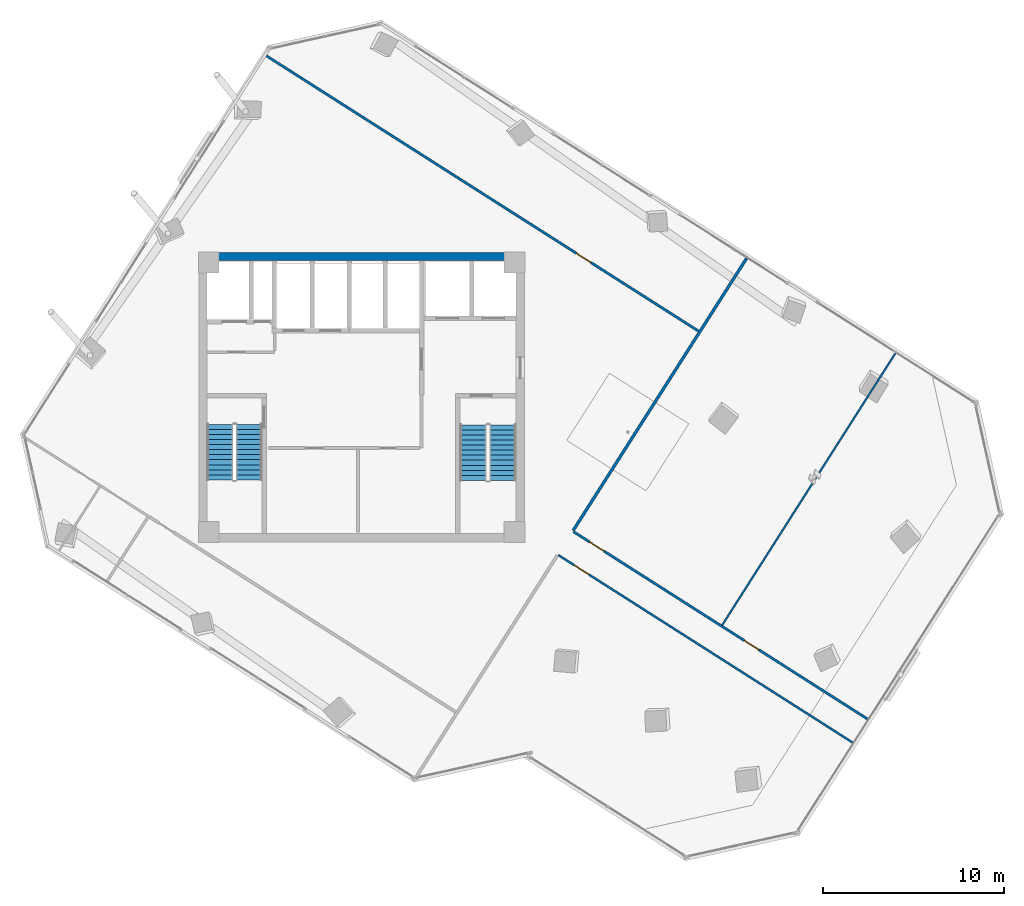
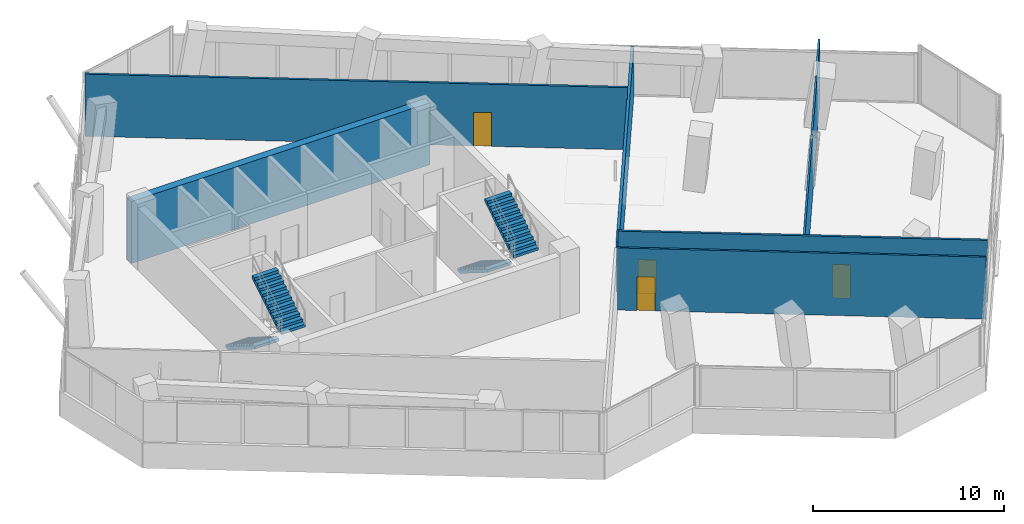
# One storey, part 19 of 24: 6 walls, 4 doors, 4 stair flights, 4 openings, 2 elements without a shape of their own.
"""IFC4 building model written with IfcOpenShell, lengths in metres."""

import ifcopenshell
import ifcopenshell.guid

model = None  # the IFC model being written
_history = None  # IfcOwnerHistory: only IFC2X3 demands one
_inside = {}  # id of a spatial element -> (the spatial element, [elements in it])
_under = {}  # id of a project, library or spatial element -> (it, [spatial elements below it])
_declared = {}  # id of a project -> (the project, [libraries it declares])
_typed = {}  # id of a type object -> (the type object, [elements of that type])
_made_of = {}  # id of a material, layer set ... -> (it, [elements and type objects made of it])


def new_model(schema):
    """Start an empty IFC model of exactly this schema.

    Asked for "IFC4X3", IfcOpenShell would pick the latest addendum, in which some entities
    have other attributes; the version numbers below select the first issue.
    IFC2X3 requires an IfcOwnerHistory on every rooted entity: one is made here for all.
    """
    global model, _history
    if schema == "IFC4X3":
        model = ifcopenshell.file(schema_version=(4, 3, 0, 0))
    else:
        model = ifcopenshell.file(schema=schema)
    _inside.clear()
    _under.clear()
    _declared.clear()
    _typed.clear()
    _made_of.clear()
    _history = None
    if model.schema == "IFC2X3":
        org = make("IfcOrganization", Name="unknown")
        user = make(
            "IfcPersonAndOrganization",
            ThePerson=make("IfcPerson", FamilyName="unknown"),
            TheOrganization=org,
        )
        app = make(
            "IfcApplication",
            ApplicationDeveloper=org,
            Version="unknown",
            ApplicationFullName="unknown",
            ApplicationIdentifier="unknown",
        )
        _history = make(
            "IfcOwnerHistory",
            OwningUser=user,
            OwningApplication=app,
            ChangeAction="ADDED",
            CreationDate=0,
        )
    return model


def make(cls, **values):
    """One entity of the class cls with the attributes given. An attribute that is None is left unset."""
    return model.create_entity(
        cls, **{name: value for name, value in values.items() if value is not None}
    )


def rooted(cls, **values):
    """An entity with a GlobalId (a new one), such as an element, a storey or a relation."""
    return make(cls, GlobalId=ifcopenshell.guid.new(), OwnerHistory=_history, **values)


def si_unit(unit_type, name, prefix=None):
    """IfcSIUnit, for example si_unit("LENGTHUNIT", "METRE", prefix="MILLI")."""
    return make("IfcSIUnit", UnitType=unit_type, Prefix=prefix, Name=name)


def assignment(units):
    """IfcUnitAssignment: the units of a project."""
    return None if units is None else make("IfcUnitAssignment", Units=units)


def point(xyz):
    """IfcCartesianPoint."""
    return None if xyz is None else make("IfcCartesianPoint", Coordinates=xyz)


def direction(xyz):
    """IfcDirection."""
    return None if xyz is None else make("IfcDirection", DirectionRatios=xyz)


def frame(location, z_axis=None, x_axis=None):
    """IfcAxis2Placement3D, a coordinate frame: its origin and axes. An axis left out is left unset."""
    return make(
        "IfcAxis2Placement3D",
        Location=point(location),
        Axis=direction(z_axis),
        RefDirection=direction(x_axis),
    )


def frame_2d(location, x_axis=None):
    """IfcAxis2Placement2D, a coordinate frame in the plane: its origin and x axis."""
    return make(
        "IfcAxis2Placement2D", Location=point(location), RefDirection=direction(x_axis)
    )


def origin():
    """The frame at (0, 0, 0) with its axes left unset."""
    return frame((0.0, 0.0, 0.0))


def place(relative_to, where):
    """IfcLocalPlacement: puts the frame where relative to a parent placement (None: the world)."""
    return make(
        "IfcLocalPlacement", PlacementRelTo=relative_to, RelativePlacement=where
    )


def context(
    kind, dimensions, precision=None, world=None, true_north=None, identifier=None
):
    """IfcGeometricRepresentationContext, for example the 3D "Model" context."""
    return make(
        "IfcGeometricRepresentationContext",
        ContextIdentifier=identifier,
        ContextType=kind,
        CoordinateSpaceDimension=dimensions,
        Precision=precision,
        WorldCoordinateSystem=world,
        TrueNorth=true_north,
    )


def subcontext(parent, identifier, kind, view, scale=None):
    """IfcGeometricRepresentationSubContext, for example "Body" below "Model"."""
    return make(
        "IfcGeometricRepresentationSubContext",
        ContextIdentifier=identifier,
        ContextType=kind,
        ParentContext=parent,
        TargetScale=scale,
        TargetView=view,
    )


def project(units=None, contexts=None):
    """IfcProject with its units and contexts."""
    return rooted(
        "IfcProject",
        Name="project",
        RepresentationContexts=contexts,
        UnitsInContext=assignment(units),
    )


def spatial(cls, under=None, at=None, **own):
    """A site, building, storey or space (cls), placed at a placement, below another one or the project."""
    s = rooted(cls, ObjectPlacement=at, **own)
    if under is not None:
        _under.setdefault(under.id(), (under, []))[1].append(s)
    return s


def polyline(points):
    """IfcPolyline through the points."""
    return make("IfcPolyline", Points=[point(p) for p in points])


def profile(cls, at=None, kind="AREA", **sizes):
    """A parametric profile (cls). Its sizes go by their IFC names, for example OverallWidth=200.0."""
    return make(cls, ProfileType=kind, Position=at, **sizes)


def rectangle(**sizes):
    """IfcRectangleProfileDef."""
    return profile("IfcRectangleProfileDef", **sizes)


def outline(outer, holes=None, kind="AREA"):
    """IfcArbitraryClosedProfileDef: a profile drawn as a closed curve; with holes, ...WithVoids."""
    if holes is None:
        return make("IfcArbitraryClosedProfileDef", ProfileType=kind, OuterCurve=outer)
    return make(
        "IfcArbitraryProfileDefWithVoids",
        ProfileType=kind,
        OuterCurve=outer,
        InnerCurves=holes,
    )


def extrude(swept, where, along, depth):
    """IfcExtrudedAreaSolid: the profile swept, set in the frame where, extruded along a direction by depth."""
    return make(
        "IfcExtrudedAreaSolid",
        SweptArea=swept,
        Position=where,
        ExtrudedDirection=direction(along),
        Depth=depth,
    )


def shape(context_of_items, identifier, shape_type, items):
    """IfcShapeRepresentation: the items that make up one representation, for example the "Body"."""
    return make(
        "IfcShapeRepresentation",
        ContextOfItems=context_of_items,
        RepresentationIdentifier=identifier,
        RepresentationType=shape_type,
        Items=items,
    )


def source(mapping_origin, context_of_items, identifier, shape_type, items):
    """IfcRepresentationMap: a shape defined once, which mapped items show again and again."""
    return make(
        "IfcRepresentationMap",
        MappingOrigin=mapping_origin,
        MappedRepresentation=shape(context_of_items, identifier, shape_type, items),
    )


def transform(
    local_origin,
    x_axis=None,
    y_axis=None,
    z_axis=None,
    scale=None,
    scale2=None,
    scale3=None,
    uniform=True,
):
    """IfcCartesianTransformationOperator3D, or its non-uniform kind. x_axis, y_axis, z_axis: its Axis1, 2, 3."""
    if uniform:
        return make(
            "IfcCartesianTransformationOperator3D",
            Axis1=direction(x_axis),
            Axis2=direction(y_axis),
            LocalOrigin=point(local_origin),
            Scale=scale,
            Axis3=direction(z_axis),
        )
    return make(
        "IfcCartesianTransformationOperator3DnonUniform",
        Axis1=direction(x_axis),
        Axis2=direction(y_axis),
        LocalOrigin=point(local_origin),
        Scale=scale,
        Axis3=direction(z_axis),
        Scale2=scale2,
        Scale3=scale3,
    )


def mapped(mapping_source, mapping_target):
    """IfcMappedItem: shows the shape of a source again, moved by a transform."""
    return make(
        "IfcMappedItem", MappingSource=mapping_source, MappingTarget=mapping_target
    )


def material(Name=None, Category=None):
    """IfcMaterial."""
    return make("IfcMaterial", Name=Name, Category=Category)


def layer(
    of_material, thickness, ventilated=None, Name=None, Category=None, Priority=None
):
    """IfcMaterialLayer: one layer of a wall or slab, of a material (None: an air gap)."""
    return make(
        "IfcMaterialLayer",
        Material=of_material,
        LayerThickness=thickness,
        IsVentilated=ventilated,
        Name=Name,
        Category=Category,
        Priority=Priority,
    )


def layer_set(layers, Name=None):
    """IfcMaterialLayerSet."""
    return make("IfcMaterialLayerSet", MaterialLayers=layers, LayerSetName=Name)


def made_of(thing, what):
    """Note that an element or type object is made of a material, layer set ...; save() writes the relation."""
    if what is not None:
        _made_of.setdefault(what.id(), (what, []))[1].append(thing)
    return thing


def type_object(cls, material=None, **own):
    """A type object (cls), such as IfcWallType, which elements share."""
    return made_of(rooted(cls, **own), material)


def element(
    cls,
    number,
    at=None,
    inside=None,
    cuts=None,
    type_object=None,
    material=None,
    context=None,
    identifier="Body",
    shape_type=None,
    held_by="IfcProductDefinitionShape",
    body=None,
    shapes=None,
    **own,
):
    """One element of the class cls, such as IfcWall. Its Tag is "e" and its number.

    at: its placement. inside: the storey or other place that contains it. cuts: it is an
    opening in that element (IfcRelVoidsElement). A single representation is given by context,
    identifier, shape_type and body (its items); several are given by shapes. held_by: the class
    of the entity that holds the representations. save() writes the other relations.
    """
    e = rooted(cls, Tag="e%d" % number, ObjectPlacement=at, **own)
    if body is not None:
        shapes = [shape(context, identifier, shape_type, body)]
    if shapes is not None:
        e.Representation = make(held_by, Representations=shapes)
    if inside is not None:
        _inside.setdefault(inside.id(), (inside, []))[1].append(e)
    if cuts is not None:
        rooted(
            "IfcRelVoidsElement", RelatingBuildingElement=cuts, RelatedOpeningElement=e
        )
    if type_object is not None:
        _typed.setdefault(type_object.id(), (type_object, []))[1].append(e)
    return made_of(e, material)


def fill(opening, filler):
    """IfcRelFillsElement: the door or window that sits in an opening."""
    return rooted(
        "IfcRelFillsElement",
        RelatingOpeningElement=opening,
        RelatedBuildingElement=filler,
    )


def aggregate(whole, parts):
    """IfcRelAggregates: a whole, such as a stair, and the parts it consists of."""
    return rooted("IfcRelAggregates", RelatingObject=whole, RelatedObjects=parts)


def save(model, path):
    """Write the relations noted so far, then the file.

    IfcRelAggregates (storeys below a building ...), IfcRelContainedInSpatialStructure (elements
    in a storey), IfcRelDefinesByType, IfcRelAssociatesMaterial and IfcRelDeclares: one each for
    every whole, place, type object, material and project.
    """
    for whole, parts in _under.values():
        aggregate(whole, parts)
    for where, things in _inside.values():
        rooted(
            "IfcRelContainedInSpatialStructure",
            RelatedElements=things,
            RelatingStructure=where,
        )
    for kind, things in _typed.values():
        rooted("IfcRelDefinesByType", RelatedObjects=things, RelatingType=kind)
    for what, things in _made_of.values():
        rooted("IfcRelAssociatesMaterial", RelatedObjects=things, RelatingMaterial=what)
    for by, libraries in _declared.values():
        rooted("IfcRelDeclares", RelatingContext=by, RelatedDefinitions=libraries)
    model.write(path)


model = new_model("IFC4")

# Units and contexts
model_context = context("Model", 3, precision=1e-05, world=origin(), true_north=direction((0.0, 1.0)))
body_context = subcontext(model_context, "Body", "Model", "MODEL_VIEW")
ifc_project = project(units=[si_unit("LENGTHUNIT", "METRE"), si_unit("AREAUNIT", "SQUARE_METRE"), si_unit("VOLUMEUNIT", "CUBIC_METRE"), si_unit("PLANEANGLEUNIT", "RADIAN"), si_unit("MASSUNIT", "GRAM", prefix="KILO")], contexts=[model_context])

# Site, building, storey
site_placement = place(None, origin())
site = spatial("IfcSite", under=ifc_project, at=site_placement, CompositionType="ELEMENT")
building_placement = place(site_placement, origin())
building = spatial("IfcBuilding", under=site, at=building_placement, Name="Torre Montelarca", CompositionType="ELEMENT")
storey_placement = place(building_placement, frame((0.0, 0.0, 191.800048828125)))
storey = spatial("IfcBuildingStorey", under=building, at=storey_placement, Name="L43", CompositionType="ELEMENT", Elevation=191.800048828125)

# Walls
ifc_material_1 = material(Name="Concrete C55/67", Category="concrete")
ifc_layer_1 = layer(ifc_material_1, 0.449951171875, Name="Concrete C55/67", Category="concrete")
ifc_layer_set_1 = layer_set([ifc_layer_1], Name="Concrete C55/67")
wall_type_1 = type_object("IfcWallType", Name="CW-SHEAR-450", PredefinedType="SHEAR", material=ifc_layer_set_1)
wall_1_placement = place(storey_placement, frame((9.0, 39.77490234375, 0.0), z_axis=(0.0, 0.0, 1.0), x_axis=(1.0, 0.0, 0.0)))
element("IfcWall", 1, at=wall_1_placement, inside=storey, type_object=wall_type_1, Name="L43 Core Shear Wall CW-N1", PredefinedType="SHEAR", context=body_context, shape_type="SweptSolid", body=[
    extrude(rectangle(XDim=18.0, YDim=0.449951171875, at=frame_2d((9.0, 0.0))), origin(), (0.0, 0.0, 1.0), 3.9599609375),
])
ifc_material_2 = material(Name="Gypsum plasterboard on steel stud", Category="steel")
ifc_layer_2 = layer(ifc_material_2, 0.159912109375, Name="Gypsum plasterboard on steel stud", Category="steel")
ifc_layer_set_2 = layer_set([ifc_layer_2], Name="Gypsum plasterboard on steel stud")
wall_type_2 = type_object("IfcWallType", Name="PW-FIRE-160", PredefinedType="PARTITIONING", material=ifc_layer_set_2)
wall_2_placement = place(storey_placement, frame((29.6982421875, 24.619140625, 0.0), z_axis=(0.0, 0.0, 1.0), x_axis=(0.537299578138, 0.843391465058, 0.0)))
element("IfcWall", 2, at=wall_2_placement, inside=storey, type_object=wall_type_2, Name="L43 Interior Partition W-L43-ECN", PredefinedType="PARTITIONING", context=body_context, shape_type="SweptSolid", body=[
    extrude(rectangle(XDim=17.840087890625, YDim=0.159912109375, at=frame_2d((8.919921875, 0.0))), origin(), (0.0, 0.0, 1.0), 3.195068359375),
])
ifc_material_3 = material(Name="Acoustic laminated glass partition", Category="glass")
ifc_layer_3 = layer(ifc_material_3, 0.10009765625, Name="Acoustic laminated glass partition", Category="glass")
ifc_layer_set_3 = layer_set([ifc_layer_3], Name="Acoustic laminated glass partition")
wall_type_3 = type_object("IfcWallType", Name="PW-GLAZ-100", PredefinedType="PARTITIONING", material=ifc_layer_set_3)
wall_3_placement = place(storey_placement, frame((37.9296875, 19.375, 0.0), z_axis=(0.0, 0.0, 1.0), x_axis=(0.537293376795, 0.843395415717, 0.0)))
element("IfcWall", 3, at=wall_3_placement, inside=storey, type_object=wall_type_3, Name="L43 Interior Partition W-L43-NEDIV-1", PredefinedType="PARTITIONING", context=body_context, shape_type="SweptSolid", body=[
    extrude(rectangle(XDim=17.84033203125, YDim=0.10009765625, at=frame_2d((8.920166015625, 0.0))), origin(), (0.0, 0.0, 1.0), 3.9599609375),
])

# Wall, opening, door
ifc_layer_4 = layer(ifc_material_2, 0.114990234375, Name="Gypsum plasterboard on steel stud", Category="steel")
ifc_layer_set_4 = layer_set([ifc_layer_4], Name="Gypsum plasterboard on steel stud")
wall_type_4 = type_object("IfcWallType", Name="PW-PART-115", PredefinedType="PARTITIONING", material=ifc_layer_set_4)
wall_4_placement = place(storey_placement, frame((28.883056640625, 23.26513671875, 0.0), z_axis=(0.0, 0.0, 1.0), x_axis=(0.843390003721, -0.537301871971, 0.0)))
wall_4 = element("IfcWall", 4, at=wall_4_placement, inside=storey, type_object=wall_type_4, Name="L43 Interior Partition W-L43-SE-N", PredefinedType="PARTITIONING", context=body_context, shape_type="SweptSolid", body=[
    extrude(rectangle(XDim=19.2998046875, YDim=0.114990234375, at=frame_2d((9.64990234375, 0.0))), origin(), (0.0, 0.0, 1.0), 3.9599609375),
])
opening_1_placement = place(wall_4_placement, frame((1.050048828125, 0.0, 0.0)))
opening_1 = element("IfcOpeningElement", 5, at=opening_1_placement, cuts=wall_4, Name="Opening ID-095", PredefinedType="OPENING", context=body_context, shape_type="SweptSolid", body=[
    extrude(rectangle(XDim=0.949951171875, YDim=2.14990234375, at=frame_2d((0.47509765625, 1.074951171875))), frame((0.0, 0.0673828125, 0.0), z_axis=(0.0, -1.0, 0.0), x_axis=(1.0, 0.0, 0.0)), (0.0, 0.0, 1.0), 0.135009765625),
])
ifc_material_4 = material(Name="Hardwood acoustic timber veneer", Category="wood")
door_type = type_object("IfcDoorType", Name="DR-INT-095", OperationType="NOTDEFINED", PredefinedType="DOOR", material=ifc_material_4)
shared_shape = source(origin(), body_context, "Body", "SweptSolid", [
    extrude(rectangle(XDim=0.949951171875, YDim=2.14990234375, at=frame_2d((0.47509765625, 1.074951171875))), frame((0.0, 0.02490234375, 0.0), z_axis=(0.0, -1.0, 0.0), x_axis=(1.0, 0.0, 0.0)), (0.0, 0.0, 1.0), 0.050048828125),
])
door_1_placement = place(opening_1_placement, origin())
door_1 = element("IfcDoor", 6, at=door_1_placement, inside=storey, type_object=door_type, Name="L43 Interior Door 10", OperationType="SINGLE_SWING_LEFT", OverallHeight=2.14990234375, OverallWidth=0.949951171875, PredefinedType="DOOR", context=body_context, shape_type="MappedRepresentation", body=[
    mapped(shared_shape, transform((0.0, 0.0, 0.0), scale=1.0)),
])
fill(opening_1, door_1)

ifc_layer_5 = layer(ifc_material_2, 0.135009765625, Name="Gypsum plasterboard on steel stud", Category="steel")
ifc_layer_set_5 = layer_set([ifc_layer_5], Name="Gypsum plasterboard on steel stud")
wall_type_5 = type_object("IfcWallType", Name="PW-PART-135", PredefinedType="PARTITIONING", material=ifc_layer_set_5)
wall_5_placement = place(storey_placement, frame((12.746826171875, 50.867919921875, 0.0), z_axis=(0.0, 0.0, 1.0), x_axis=(0.843393047262, -0.537297094567, 0.0)))
wall_5 = element("IfcWall", 7, at=wall_5_placement, inside=storey, type_object=wall_type_5, Name="L43 Interior Partition W-L43-NBOT", PredefinedType="PARTITIONING", context=body_context, shape_type="SweptSolid", body=[
    extrude(rectangle(XDim=28.360107421875, YDim=0.135009765625, at=frame_2d((14.18017578125, 0.0))), origin(), (0.0, 0.0, 1.0), 3.9599609375),
])
opening_2_placement = place(wall_5_placement, frame((20.31005859375, 0.0, 0.0)))
opening_2 = element("IfcOpeningElement", 8, at=opening_2_placement, cuts=wall_5, Name="Opening ID-095", PredefinedType="OPENING", context=body_context, shape_type="SweptSolid", body=[
    extrude(rectangle(XDim=0.949951171875, YDim=2.14990234375, at=frame_2d((0.47509765625, 1.074951171875))), frame((0.0, 0.07763671875, 0.0), z_axis=(0.0, -1.0, 0.0), x_axis=(1.0, 0.0, 0.0)), (0.0, 0.0, 1.0), 0.155029296875),
])
door_2_placement = place(opening_2_placement, origin())
door_2 = element("IfcDoor", 9, at=door_2_placement, inside=storey, type_object=door_type, Name="L43 Interior Door 07", OperationType="SINGLE_SWING_LEFT", OverallHeight=2.14990234375, OverallWidth=0.949951171875, PredefinedType="DOOR", context=body_context, shape_type="MappedRepresentation", body=[
    mapped(shared_shape, transform((0.0, 0.0, 0.0), scale=1.0)),
])
fill(opening_2, door_2)

# Wall, openings, doors
wall_6_placement = place(storey_placement, frame((29.71044921875, 24.56396484375, 0.0), z_axis=(0.0, 0.0, 1.0), x_axis=(0.843390003721, -0.537301871971, 0.0)))
wall_6 = element("IfcWall", 10, at=wall_6_placement, inside=storey, type_object=wall_type_5, Name="L43 Interior Partition W-L43-NE-S", PredefinedType="PARTITIONING", context=body_context, shape_type="SweptSolid", body=[
    extrude(rectangle(XDim=19.2998046875, YDim=0.135009765625, at=frame_2d((9.64990234375, 0.0))), origin(), (0.0, 0.0, 1.0), 3.9599609375),
])
opening_3_placement = place(wall_6_placement, frame((1.050048828125, 0.0, 0.0)))
opening_3 = element("IfcOpeningElement", 11, at=opening_3_placement, cuts=wall_6, Name="Opening ID-095", PredefinedType="OPENING", context=body_context, shape_type="SweptSolid", body=[
    extrude(rectangle(XDim=0.949951171875, YDim=2.14990234375, at=frame_2d((0.47509765625, 1.074951171875))), frame((0.0, 0.07763671875, 0.0), z_axis=(0.0, -1.0, 0.0), x_axis=(1.0, 0.0, 0.0)), (0.0, 0.0, 1.0), 0.155029296875),
])
opening_4_placement = place(wall_6_placement, frame((11.2099609375, 0.0, 0.0)))
opening_4 = element("IfcOpeningElement", 12, at=opening_4_placement, cuts=wall_6, Name="Opening ID-095", PredefinedType="OPENING", context=body_context, shape_type="SweptSolid", body=[
    extrude(rectangle(XDim=0.949951171875, YDim=2.14990234375, at=frame_2d((0.47509765625, 1.074951171875))), frame((0.0, 0.07763671875, 0.0), z_axis=(0.0, -1.0, 0.0), x_axis=(1.0, 0.0, 0.0)), (0.0, 0.0, 1.0), 0.155029296875),
])
door_3_placement = place(opening_3_placement, origin())
door_3 = element("IfcDoor", 13, at=door_3_placement, inside=storey, type_object=door_type, Name="L43 Interior Door 08", OperationType="SINGLE_SWING_LEFT", OverallHeight=2.14990234375, OverallWidth=0.949951171875, PredefinedType="DOOR", context=body_context, shape_type="MappedRepresentation", body=[
    mapped(shared_shape, transform((0.0, 0.0, 0.0), scale=1.0)),
])
fill(opening_3, door_3)
door_4_placement = place(opening_4_placement, origin())
door_4 = element("IfcDoor", 14, at=door_4_placement, inside=storey, type_object=door_type, Name="L43 Interior Door 09", OperationType="SINGLE_SWING_RIGHT", OverallHeight=2.14990234375, OverallWidth=0.949951171875, PredefinedType="DOOR", context=body_context, shape_type="MappedRepresentation", body=[
    mapped(shared_shape, transform((0.0, 0.0, 0.0), scale=1.0)),
])
fill(opening_4, door_4)

# Stair, stair flights
ifc_material_5 = material(Name="Concrete C40/50", Category="concrete")
stair_type_1 = type_object("IfcStairType", Name="ST-CORE-ST1", PredefinedType="HALF_TURN_STAIR", material=ifc_material_5)
stair_1_placement = place(storey_placement, origin())
stair_1 = element("IfcStair", 15, at=stair_1_placement, inside=storey, type_object=stair_type_1, Name="L43 Protected Exit Stair ST1", PredefinedType="HALF_TURN_STAIR")
stair_flight_type_1 = type_object("IfcStairFlightType", Name="SFL-CORE-ST1", PredefinedType="STRAIGHT", material=ifc_material_5)
stair_flight_1_placement = place(storey_placement, frame((10.175048828125, 30.5, 0.0), z_axis=(0.0, 0.0, 1.0), x_axis=(0.0, -1.0, 0.0)))
stair_flight_1 = element("IfcStairFlight", 16, at=stair_flight_1_placement, type_object=stair_flight_type_1, Name="ST1 flight 1", NumberOfRisers=12, NumberOfTreads=11, PredefinedType="STRAIGHT", RiserHeight=0.175, TreadLength=0.28, context=body_context, shape_type="SweptSolid", body=[
    extrude(outline(polyline([(0.0, 0.0), (0.0, 0.175048828125), (0.280029296875, 0.175048828125), (0.280029296875, 0.35009765625), (0.56005859375, 0.35009765625), (0.56005859375, 0.52490234375), (0.840087890625, 0.52490234375), (0.840087890625, 0.699951171875), (1.1201171875, 0.699951171875), (1.1201171875, 0.875), (1.39990234375, 0.875), (1.39990234375, 1.050048828125), (1.679931640625, 1.050048828125), (1.679931640625, 1.22509765625), (1.9599609375, 1.22509765625), (1.9599609375, 1.39990234375), (2.239990234375, 1.39990234375), (2.239990234375, 1.574951171875), (2.52001953125, 1.574951171875), (2.52001953125, 1.75), (2.800048828125, 1.75), (2.800048828125, 1.925048828125), (3.080078125, 1.925048828125), (3.080078125, 2.10009765625), (3.080078125, 1.748291015625), (0.28271484375, 0.0), (0.0, 0.0)])), frame((0.0, 0.72509765625, 0.0), z_axis=(0.0, -1.0, 0.0), x_axis=(1.0, 0.0, 0.0)), (0.0, 0.0, 1.0), 1.449951171875),
])
stair_flight_2_placement = place(storey_placement, frame((11.77490234375, 27.419921875, 2.099853515625), z_axis=(0.0, 0.0, 1.0), x_axis=(0.0, 1.0, 0.0)))
stair_flight_2 = element("IfcStairFlight", 17, at=stair_flight_2_placement, type_object=stair_flight_type_1, Name="ST1 flight 2", NumberOfRisers=12, NumberOfTreads=11, PredefinedType="STRAIGHT", RiserHeight=0.175, TreadLength=0.28, context=body_context, shape_type="SweptSolid", body=[
    extrude(outline(polyline([(0.0, 0.0), (0.0, 0.175048828125), (0.280029296875, 0.175048828125), (0.280029296875, 0.35009765625), (0.56005859375, 0.35009765625), (0.56005859375, 0.52490234375), (0.840087890625, 0.52490234375), (0.840087890625, 0.699951171875), (1.1201171875, 0.699951171875), (1.1201171875, 0.875), (1.39990234375, 0.875), (1.39990234375, 1.050048828125), (1.679931640625, 1.050048828125), (1.679931640625, 1.22509765625), (1.9599609375, 1.22509765625), (1.9599609375, 1.39990234375), (2.239990234375, 1.39990234375), (2.239990234375, 1.574951171875), (2.52001953125, 1.574951171875), (2.52001953125, 1.75), (2.800048828125, 1.75), (2.800048828125, 1.925048828125), (3.080078125, 1.925048828125), (3.080078125, 2.10009765625), (3.080078125, 1.748291015625), (0.28271484375, 0.0), (0.0, 0.0)])), frame((0.0, 0.72509765625, 0.0), z_axis=(0.0, -1.0, 0.0), x_axis=(1.0, 0.0, 0.0)), (0.0, 0.0, 1.0), 1.449951171875),
])
aggregate(stair_1, [stair_flight_1, stair_flight_2])

stair_type_2 = type_object("IfcStairType", Name="ST-CORE-ST2", PredefinedType="HALF_TURN_STAIR", material=ifc_material_5)
stair_2_placement = place(storey_placement, origin())
stair_2 = element("IfcStair", 18, at=stair_2_placement, inside=storey, type_object=stair_type_2, Name="L43 Protected Exit Stair ST2", PredefinedType="HALF_TURN_STAIR")
stair_flight_type_2 = type_object("IfcStairFlightType", Name="SFL-CORE-ST2", PredefinedType="STRAIGHT", material=ifc_material_5)
stair_flight_3_placement = place(storey_placement, frame((24.179931640625, 30.469970703125, 0.0), z_axis=(0.0, 0.0, 1.0), x_axis=(0.0, -1.0, 0.0)))
stair_flight_3 = element("IfcStairFlight", 19, at=stair_flight_3_placement, type_object=stair_flight_type_2, Name="ST2 flight 1", NumberOfRisers=12, NumberOfTreads=11, PredefinedType="STRAIGHT", RiserHeight=0.175, TreadLength=0.28, context=body_context, shape_type="SweptSolid", body=[
    extrude(outline(polyline([(0.0, 0.0), (0.0, 0.175048828125), (0.280029296875, 0.175048828125), (0.280029296875, 0.35009765625), (0.56005859375, 0.35009765625), (0.56005859375, 0.52490234375), (0.840087890625, 0.52490234375), (0.840087890625, 0.699951171875), (1.1201171875, 0.699951171875), (1.1201171875, 0.875), (1.39990234375, 0.875), (1.39990234375, 1.050048828125), (1.679931640625, 1.050048828125), (1.679931640625, 1.22509765625), (1.9599609375, 1.22509765625), (1.9599609375, 1.39990234375), (2.239990234375, 1.39990234375), (2.239990234375, 1.574951171875), (2.52001953125, 1.574951171875), (2.52001953125, 1.75), (2.800048828125, 1.75), (2.800048828125, 1.925048828125), (3.080078125, 1.925048828125), (3.080078125, 2.10009765625), (3.080078125, 1.748291015625), (0.28271484375, 0.0), (0.0, 0.0)])), frame((0.0, 0.739990234375, 0.0), z_axis=(0.0, -1.0, 0.0), x_axis=(1.0, 0.0, 0.0)), (0.0, 0.0, 1.0), 1.47998046875),
])
stair_flight_4_placement = place(storey_placement, frame((25.81005859375, 27.389892578125, 2.099853515625), z_axis=(0.0, 0.0, 1.0), x_axis=(0.0, 1.0, 0.0)))
stair_flight_4 = element("IfcStairFlight", 20, at=stair_flight_4_placement, type_object=stair_flight_type_2, Name="ST2 flight 2", NumberOfRisers=12, NumberOfTreads=11, PredefinedType="STRAIGHT", RiserHeight=0.175, TreadLength=0.28, context=body_context, shape_type="SweptSolid", body=[
    extrude(outline(polyline([(0.0, 0.0), (0.0, 0.175048828125), (0.280029296875, 0.175048828125), (0.280029296875, 0.35009765625), (0.56005859375, 0.35009765625), (0.56005859375, 0.52490234375), (0.840087890625, 0.52490234375), (0.840087890625, 0.699951171875), (1.1201171875, 0.699951171875), (1.1201171875, 0.875), (1.39990234375, 0.875), (1.39990234375, 1.050048828125), (1.679931640625, 1.050048828125), (1.679931640625, 1.22509765625), (1.9599609375, 1.22509765625), (1.9599609375, 1.39990234375), (2.239990234375, 1.39990234375), (2.239990234375, 1.574951171875), (2.52001953125, 1.574951171875), (2.52001953125, 1.75), (2.800048828125, 1.75), (2.800048828125, 1.925048828125), (3.080078125, 1.925048828125), (3.080078125, 2.10009765625), (3.080078125, 1.748291015625), (0.28271484375, 0.0), (0.0, 0.0)])), frame((0.0, 0.739990234375, 0.0), z_axis=(0.0, -1.0, 0.0), x_axis=(1.0, 0.0, 0.0)), (0.0, 0.0, 1.0), 1.47998046875),
])
aggregate(stair_2, [stair_flight_3, stair_flight_4])

save(model, "model.ifc")
